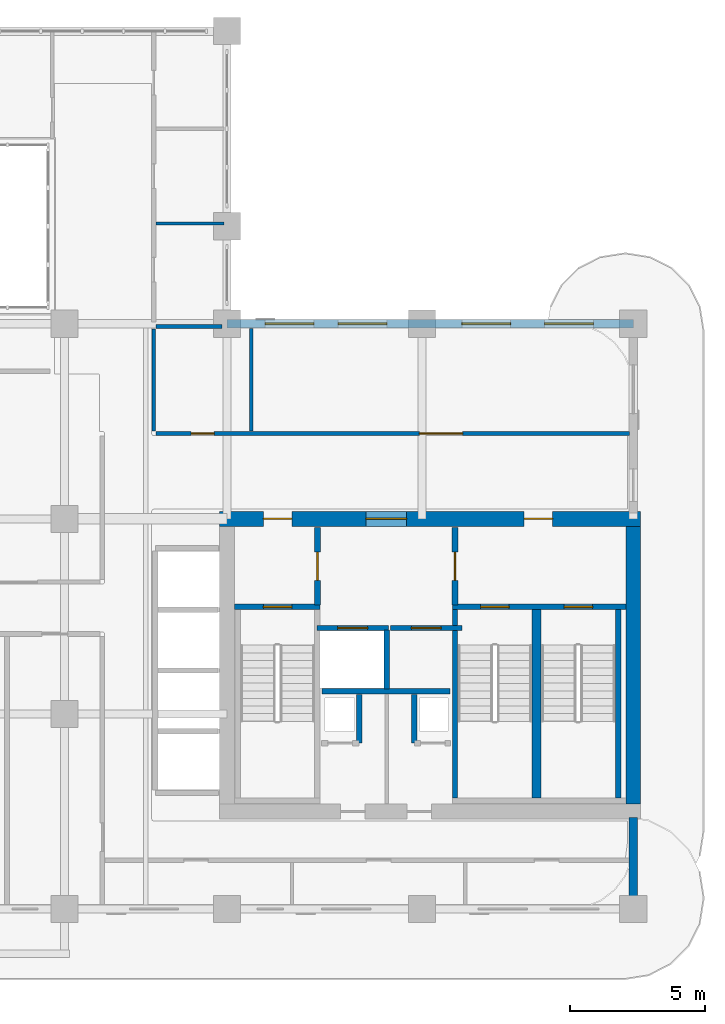
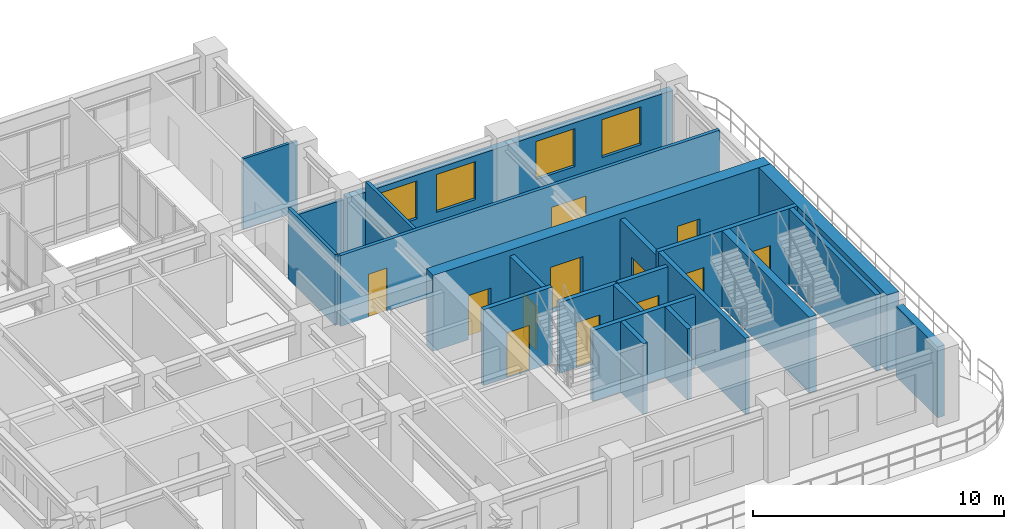
# One storey, part 13 of 20: 22 walls, 12 doors, 4 windows, 16 openings.
"""IFC4 building model written with IfcOpenShell, lengths in metres."""

from ifc_helpers import new_model, si_unit, derived_unit, direction, frame, frame_2d, origin, place, context, subcontext, project, spatial, rectangle, extrude, source, transform, mapped, material, layer, layer_set, type_object, type_shapes, element, fill, save


model = new_model("IFC4")

# Units and contexts
model_context = context("Model", 3, precision=1e-05, world=origin(), true_north=direction((0.0, 1.0)))
body_context = subcontext(model_context, "Body", "Model", "MODEL_VIEW")
ifc_project = project(units=[si_unit("LENGTHUNIT", "METRE"), si_unit("AREAUNIT", "SQUARE_METRE"), si_unit("VOLUMEUNIT", "CUBIC_METRE"), si_unit("PLANEANGLEUNIT", "RADIAN"), si_unit("MASSUNIT", "GRAM", prefix="KILO"), si_unit("THERMODYNAMICTEMPERATUREUNIT", "KELVIN"), si_unit("POWERUNIT", "WATT"), derived_unit("THERMALTRANSMITTANCEUNIT", [(si_unit("POWERUNIT", "WATT"), 1), (si_unit("AREAUNIT", "SQUARE_METRE"), -1), (si_unit("THERMODYNAMICTEMPERATUREUNIT", "KELVIN"), -1)])], contexts=[model_context])

# Site, building, storey
site_placement = place(None, origin())
site = spatial("IfcSite", under=ifc_project, at=site_placement, CompositionType="ELEMENT")
building_placement = place(site_placement, origin())
building = spatial("IfcBuilding", under=site, at=building_placement, Name="Zahravan Archway Hotel and Residences", CompositionType="ELEMENT")
storey_placement = place(building_placement, frame((0.0, 0.0, 137.699951171875)))
storey = spatial("IfcBuildingStorey", under=building, at=storey_placement, Name="L34", CompositionType="ELEMENT", Elevation=137.699951171875)

# Wall, openings, doors
ifc_material_1 = material(Name="Concrete C70/85", Category="concrete")
ifc_layer_1 = layer(ifc_material_1, 0.550048828125, Name="Concrete C70/85", Category="concrete")
ifc_layer_set_1 = layer_set([ifc_layer_1], Name="Concrete C70/85")
wall_type_1 = type_object("IfcWallType", Name="CW-CORE-550", PredefinedType="SHEAR", material=ifc_layer_set_1)
wall_1_placement = place(storey_placement, frame((34.52490234375, 14.39990234375, 0.0), z_axis=(0.0, 0.0, 1.0), x_axis=(1.0, 0.0, 0.0)))
wall_1 = element("IfcWall", 1, at=wall_1_placement, inside=storey, type_object=wall_type_1, Name="L34 Core A Shear N Wall 550 mm", PredefinedType="SHEAR", context=body_context, shape_type="SweptSolid", body=[
    extrude(rectangle(XDim=15.550048828125, YDim=0.550048828125, at=frame_2d((7.77490234375, 0.0))), origin(), (0.0, 0.0, 1.0), 3.699951171875),
])
opening_1_placement = place(wall_1_placement, frame((5.405029296875, 0.0, 0.0)))
opening_1 = element("IfcOpeningElement", 2, at=opening_1_placement, cuts=wall_1, Name="Opening FD-L1", PredefinedType="OPENING", context=body_context, shape_type="SweptSolid", body=[
    extrude(rectangle(XDim=1.5, YDim=2.199951171875, at=frame_2d((0.75, 1.10009765625))), frame((0.0, 0.28515625, 0.0), z_axis=(0.0, -1.0, 0.0), x_axis=(1.0, 0.0, 0.0)), (0.0, 0.0, 1.0), 0.570068359375),
])
opening_2_placement = place(wall_1_placement, frame((1.6201171875, 0.0, 0.0)))
opening_2 = element("IfcOpeningElement", 3, at=opening_2_placement, cuts=wall_1, Name="Opening FD-L2", PredefinedType="OPENING", context=body_context, shape_type="SweptSolid", body=[
    extrude(rectangle(XDim=1.050048828125, YDim=2.14990234375, at=frame_2d((0.52490234375, 1.074951171875))), frame((0.0, 0.28515625, 0.0), z_axis=(0.0, -1.0, 0.0), x_axis=(1.0, 0.0, 0.0)), (0.0, 0.0, 1.0), 0.570068359375),
])
opening_3_placement = place(wall_1_placement, frame((11.25, 0.0, 0.0)))
opening_3 = element("IfcOpeningElement", 4, at=opening_3_placement, cuts=wall_1, Name="Opening FD-L2", PredefinedType="OPENING", context=body_context, shape_type="SweptSolid", body=[
    extrude(rectangle(XDim=1.050048828125, YDim=2.14990234375, at=frame_2d((0.52490234375, 1.074951171875))), frame((0.0, 0.28515625, 0.0), z_axis=(0.0, -1.0, 0.0), x_axis=(1.0, 0.0, 0.0)), (0.0, 0.0, 1.0), 0.570068359375),
])
ifc_material_2 = material(Name="Fire-Rated Painted Steel", Category="steel")
door_type_1 = type_object("IfcDoorType", Name="FD-LOBBY-1100", OperationType="NOTDEFINED", PredefinedType="DOOR", material=ifc_material_2)
shared_shape_1 = source(origin(), body_context, "Body", "SweptSolid", [
    extrude(rectangle(XDim=1.050048828125, YDim=2.14990234375, at=frame_2d((0.52490234375, 1.074951171875))), frame((0.0, 0.02490234375, 0.0), z_axis=(0.0, -1.0, 0.0), x_axis=(1.0, 0.0, 0.0)), (0.0, 0.0, 1.0), 0.050048828125),
])
type_shapes(door_type_1, [shared_shape_1])
door_1_placement = place(opening_2_placement, origin())
door_1 = element("IfcDoor", 5, at=door_1_placement, inside=storey, type_object=door_type_1, Name="L34 Core A West Stair Lobby Door", OperationType="SINGLE_SWING_LEFT", OverallHeight=2.14990234375, OverallWidth=1.050048828125, PredefinedType="DOOR", context=body_context, shape_type="MappedRepresentation", body=[
    mapped(shared_shape_1, transform((0.0, 0.0, 0.0), scale=1.0)),
])
fill(opening_2, door_1)
door_2_placement = place(opening_3_placement, origin())
door_2 = element("IfcDoor", 6, at=door_2_placement, inside=storey, type_object=door_type_1, Name="L34 Core A East Stair Lobby Door", OperationType="SINGLE_SWING_RIGHT", OverallHeight=2.14990234375, OverallWidth=1.050048828125, PredefinedType="DOOR", context=body_context, shape_type="MappedRepresentation", body=[
    mapped(shared_shape_1, transform((0.0, 0.0, 0.0), scale=1.0)),
])
fill(opening_3, door_2)
door_type_2 = type_object("IfcDoorType", Name="FD-LOBBY-1500", OperationType="DOUBLE_DOOR_SINGLE_SWING", PredefinedType="DOOR", material=ifc_material_2)
shared_shape_2 = source(origin(), body_context, "Body", "SweptSolid", [
    extrude(rectangle(XDim=1.5, YDim=2.199951171875, at=frame_2d((0.75, 1.10009765625))), frame((0.0, 0.02490234375, 0.0), z_axis=(0.0, -1.0, 0.0), x_axis=(1.0, 0.0, 0.0)), (0.0, 0.0, 1.0), 0.050048828125),
])
type_shapes(door_type_2, [shared_shape_2])
door_3_placement = place(opening_1_placement, origin())
door_3 = element("IfcDoor", 7, at=door_3_placement, inside=storey, type_object=door_type_2, Name="L34 Core A FSAE Lobby Main Door", OperationType="DOUBLE_DOOR_SINGLE_SWING", OverallHeight=2.199951171875, OverallWidth=1.5, PredefinedType="DOOR", context=body_context, shape_type="MappedRepresentation", body=[
    mapped(shared_shape_2, transform((0.0, 0.0, 0.0), scale=1.0)),
])
fill(opening_1, door_3)

# Walls
wall_2_placement = place(storey_placement, frame((49.800048828125, 3.875, 0.0), z_axis=(0.0, 0.0, 1.0), x_axis=(0.0, 1.0, 0.0)))
element("IfcWall", 8, at=wall_2_placement, inside=storey, type_object=wall_type_1, Name="L34 Core A Shear E Wall 550 mm", PredefinedType="SHEAR", context=body_context, shape_type="SweptSolid", body=[
    extrude(rectangle(XDim=10.25, YDim=0.550048828125, at=frame_2d((5.125, 0.0))), origin(), (0.0, 0.0, 1.0), 3.699951171875),
])
ifc_material_3 = material(Name="Agra Buff Sandstone & Insulated Backup", Category="masonry")
ifc_layer_2 = layer(ifc_material_3, 0.320068359375, Name="Agra Buff Sandstone & Insulated Backup", Category="masonry")
ifc_layer_set_2 = layer_set([ifc_layer_2], Name="Agra Buff Sandstone & Insulated Backup")
wall_type_2 = type_object("IfcWallType", Name="EW-SAND-320", PredefinedType="SOLIDWALL", material=ifc_layer_set_2)
wall_3_placement = place(storey_placement, frame((49.800048828125, 0.050048828125, 0.0), z_axis=(0.0, 0.0, 1.0), x_axis=(0.0, 1.0, 0.0)))
element("IfcWall", 9, at=wall_3_placement, inside=storey, type_object=wall_type_2, Name="L34 Exterior Sandstone Wall WA-ES", PredefinedType="SOLIDWALL", context=body_context, shape_type="SweptSolid", body=[
    extrude(rectangle(XDim=3.329833984375, YDim=0.320068359375, at=frame_2d((1.6650390625, 0.0))), origin(), (0.0, 0.0, 1.0), 3.449951171875),
])

# Wall, openings, windows
wall_4_placement = place(storey_placement, frame((34.800048828125, 21.60009765625, 0.0), z_axis=(0.0, 0.0, 1.0), x_axis=(1.0, 0.0, 0.0)))
wall_4 = element("IfcWall", 10, at=wall_4_placement, inside=storey, type_object=wall_type_2, Name="L34 Exterior Sandstone Wall WA-NE", PredefinedType="SOLIDWALL", context=body_context, shape_type="SweptSolid", body=[
    extrude(rectangle(XDim=15.0, YDim=0.320068359375, at=frame_2d((7.5, 0.0))), origin(), (0.0, 0.0, 1.0), 2.93505859375),
])
opening_4_placement = place(wall_4_placement, frame((1.406005859375, 0.0, 0.800048828125)))
opening_4 = element("IfcOpeningElement", 11, at=opening_4_placement, cuts=wall_4, Name="Opening W-02", PredefinedType="OPENING", context=body_context, shape_type="SweptSolid", body=[
    extrude(rectangle(XDim=1.800048828125, YDim=1.85009765625, at=frame_2d((0.89990234375, 0.925048828125))), frame((0.0, 0.169921875, 0.0), z_axis=(0.0, -1.0, 0.0), x_axis=(1.0, 0.0, 0.0)), (0.0, 0.0, 1.0), 0.340087890625),
])
opening_5_placement = place(wall_4_placement, frame((4.10205078125, 0.0, 0.800048828125)))
opening_5 = element("IfcOpeningElement", 12, at=opening_5_placement, cuts=wall_4, Name="Opening W-02", PredefinedType="OPENING", context=body_context, shape_type="SweptSolid", body=[
    extrude(rectangle(XDim=1.800048828125, YDim=1.85009765625, at=frame_2d((0.89990234375, 0.925048828125))), frame((0.0, 0.169921875, 0.0), z_axis=(0.0, -1.0, 0.0), x_axis=(1.0, 0.0, 0.0)), (0.0, 0.0, 1.0), 0.340087890625),
])
opening_6_placement = place(wall_4_placement, frame((8.675048828125, 0.0, 0.800048828125)))
opening_6 = element("IfcOpeningElement", 13, at=opening_6_placement, cuts=wall_4, Name="Opening W-02", PredefinedType="OPENING", context=body_context, shape_type="SweptSolid", body=[
    extrude(rectangle(XDim=1.800048828125, YDim=1.85009765625, at=frame_2d((0.89990234375, 0.925048828125))), frame((0.0, 0.169921875, 0.0), z_axis=(0.0, -1.0, 0.0), x_axis=(1.0, 0.0, 0.0)), (0.0, 0.0, 1.0), 0.340087890625),
])
opening_7_placement = place(wall_4_placement, frame((11.72509765625, 0.0, 0.800048828125)))
opening_7 = element("IfcOpeningElement", 14, at=opening_7_placement, cuts=wall_4, Name="Opening W-02", PredefinedType="OPENING", context=body_context, shape_type="SweptSolid", body=[
    extrude(rectangle(XDim=1.800048828125, YDim=1.85009765625, at=frame_2d((0.89990234375, 0.925048828125))), frame((0.0, 0.169921875, 0.0), z_axis=(0.0, -1.0, 0.0), x_axis=(1.0, 0.0, 0.0)), (0.0, 0.0, 1.0), 0.340087890625),
])
ifc_material_4 = material(Name="Bronze-Anodized Thermal-Break Aluminium & Low-E Glass", Category="aluminium")
window_type = type_object("IfcWindowType", Name="WIN-TWR-1800", PartitioningType="DOUBLE_PANEL_VERTICAL", PredefinedType="WINDOW", material=ifc_material_4)
shared_shape_3 = source(origin(), body_context, "Body", "SweptSolid", [
    extrude(rectangle(XDim=1.800048828125, YDim=1.85009765625, at=frame_2d((0.89990234375, 0.925048828125))), frame((0.0, 0.030029296875, 0.0), z_axis=(0.0, -1.0, 0.0), x_axis=(1.0, 0.0, 0.0)), (0.0, 0.0, 1.0), 0.06005859375),
])
type_shapes(window_type, [shared_shape_3])
window_1_placement = place(opening_4_placement, origin())
window_1 = element("IfcWindow", 15, at=window_1_placement, inside=storey, type_object=window_type, Name="L34 Loggia Window 11", OverallHeight=1.85009765625, OverallWidth=1.800048828125, PartitioningType="DOUBLE_PANEL_VERTICAL", PredefinedType="WINDOW", context=body_context, shape_type="MappedRepresentation", body=[
    mapped(shared_shape_3, transform((0.0, 0.0, 0.0), scale=1.0)),
])
fill(opening_4, window_1)
window_2_placement = place(opening_5_placement, origin())
window_2 = element("IfcWindow", 16, at=window_2_placement, inside=storey, type_object=window_type, Name="L34 Loggia Window 12", OverallHeight=1.85009765625, OverallWidth=1.800048828125, PartitioningType="DOUBLE_PANEL_VERTICAL", PredefinedType="WINDOW", context=body_context, shape_type="MappedRepresentation", body=[
    mapped(shared_shape_3, transform((0.0, 0.0, 0.0), scale=1.0)),
])
fill(opening_5, window_2)
window_3_placement = place(opening_6_placement, origin())
window_3 = element("IfcWindow", 17, at=window_3_placement, inside=storey, type_object=window_type, Name="L34 Loggia Window 13", OverallHeight=1.85009765625, OverallWidth=1.800048828125, PartitioningType="DOUBLE_PANEL_VERTICAL", PredefinedType="WINDOW", context=body_context, shape_type="MappedRepresentation", body=[
    mapped(shared_shape_3, transform((0.0, 0.0, 0.0), scale=1.0)),
])
fill(opening_6, window_3)
window_4_placement = place(opening_7_placement, origin())
window_4 = element("IfcWindow", 18, at=window_4_placement, inside=storey, type_object=window_type, Name="L34 Loggia Window 14", OverallHeight=1.85009765625, OverallWidth=1.800048828125, PartitioningType="DOUBLE_PANEL_VERTICAL", PredefinedType="WINDOW", context=body_context, shape_type="MappedRepresentation", body=[
    mapped(shared_shape_3, transform((0.0, 0.0, 0.0), scale=1.0)),
])
fill(opening_7, window_4)

# Wall, opening, door
ifc_material_5 = material(Name="Fire-Rated Gypsum & Concrete Block", Category="concrete")
ifc_layer_3 = layer(ifc_material_5, 0.219970703125, Name="Fire-Rated Gypsum & Concrete Block", Category="concrete")
ifc_layer_set_3 = layer_set([ifc_layer_3], Name="Fire-Rated Gypsum & Concrete Block")
wall_type_3 = type_object("IfcWallType", Name="PW-COMP-220", PredefinedType="PARTITIONING", material=ifc_layer_set_3)
wall_5_placement = place(storey_placement, frame((38.139892578125, 11.219970703125, 0.0), z_axis=(0.0, 0.0, 1.0), x_axis=(0.0, 1.0, 0.0)))
wall_5 = element("IfcWall", 19, at=wall_5_placement, inside=storey, type_object=wall_type_3, Name="L34 Partition CA-LOBW", PredefinedType="PARTITIONING", context=body_context, shape_type="SweptSolid", body=[
    extrude(rectangle(XDim=2.860107421875, YDim=0.219970703125, at=frame_2d((1.43017578125, 0.0))), origin(), (0.0, 0.0, 1.0), 3.449951171875),
])
opening_8_placement = place(wall_5_placement, frame((0.905029296875, 0.0, 0.0)))
opening_8 = element("IfcOpeningElement", 20, at=opening_8_placement, cuts=wall_5, Name="Opening FD-L2", PredefinedType="OPENING", context=body_context, shape_type="SweptSolid", body=[
    extrude(rectangle(XDim=1.050048828125, YDim=2.14990234375, at=frame_2d((0.52490234375, 1.074951171875))), frame((0.0, 0.1201171875, 0.0), z_axis=(0.0, -1.0, 0.0), x_axis=(1.0, 0.0, 0.0)), (0.0, 0.0, 1.0), 0.239990234375),
])
door_4_placement = place(opening_8_placement, origin())
door_4 = element("IfcDoor", 21, at=door_4_placement, inside=storey, type_object=door_type_1, Name="L34 Core A West Stair to FSAE Lobby Door", OperationType="SINGLE_SWING_LEFT", OverallHeight=2.14990234375, OverallWidth=1.050048828125, PredefinedType="DOOR", context=body_context, shape_type="MappedRepresentation", body=[
    mapped(shared_shape_1, transform((0.0, 0.0, 0.0), scale=1.0)),
])
fill(opening_8, door_4)

wall_6_placement = place(storey_placement, frame((43.219970703125, 11.219970703125, 0.0), z_axis=(0.0, 0.0, 1.0), x_axis=(0.0, 1.0, 0.0)))
wall_6 = element("IfcWall", 22, at=wall_6_placement, inside=storey, type_object=wall_type_3, Name="L34 Partition CA-LOBE", PredefinedType="PARTITIONING", context=body_context, shape_type="SweptSolid", body=[
    extrude(rectangle(XDim=2.860107421875, YDim=0.219970703125, at=frame_2d((1.43017578125, 0.0))), origin(), (0.0, 0.0, 1.0), 3.449951171875),
])
opening_9_placement = place(wall_6_placement, frame((0.905029296875, 0.0, 0.0)))
opening_9 = element("IfcOpeningElement", 23, at=opening_9_placement, cuts=wall_6, Name="Opening FD-L2", PredefinedType="OPENING", context=body_context, shape_type="SweptSolid", body=[
    extrude(rectangle(XDim=1.050048828125, YDim=2.14990234375, at=frame_2d((0.52490234375, 1.074951171875))), frame((0.0, 0.1201171875, 0.0), z_axis=(0.0, -1.0, 0.0), x_axis=(1.0, 0.0, 0.0)), (0.0, 0.0, 1.0), 0.239990234375),
])
door_5_placement = place(opening_9_placement, origin())
door_5 = element("IfcDoor", 24, at=door_5_placement, inside=storey, type_object=door_type_1, Name="L34 Core A East Stair to FSAE Lobby Door", OperationType="SINGLE_SWING_RIGHT", OverallHeight=2.14990234375, OverallWidth=1.050048828125, PredefinedType="DOOR", context=body_context, shape_type="MappedRepresentation", body=[
    mapped(shared_shape_1, transform((0.0, 0.0, 0.0), scale=1.0)),
])
fill(opening_9, door_5)

# Wall, openings, doors
ifc_layer_4 = layer(ifc_material_5, 0.159912109375, Name="Fire-Rated Gypsum & Concrete Block", Category="concrete")
ifc_layer_set_4 = layer_set([ifc_layer_4], Name="Fire-Rated Gypsum & Concrete Block")
wall_type_4 = type_object("IfcWallType", Name="PW-CORR-160", PredefinedType="PARTITIONING", material=ifc_layer_set_4)
wall_7_placement = place(storey_placement, frame((32.18994140625, 17.550048828125, 0.0), z_axis=(0.0, 0.0, 1.0), x_axis=(1.0, 0.0, 0.0)))
wall_7 = element("IfcWall", 25, at=wall_7_placement, inside=storey, type_object=wall_type_4, Name="L34 Partition WA-FN", PredefinedType="PARTITIONING", context=body_context, shape_type="SweptSolid", body=[
    extrude(rectangle(XDim=17.469970703125, YDim=0.159912109375, at=frame_2d((8.73486328125, 0.0))), origin(), (0.0, 0.0, 1.0), 3.449951171875),
])
opening_10_placement = place(wall_7_placement, frame((1.284912109375, 0.0, 0.0)))
opening_10 = element("IfcOpeningElement", 26, at=opening_10_placement, cuts=wall_7, Name="Opening D-B1", PredefinedType="OPENING", context=body_context, shape_type="SweptSolid", body=[
    extrude(rectangle(XDim=0.85009765625, YDim=2.10009765625, at=frame_2d((0.425048828125, 1.050048828125))), frame((0.0, 0.08984375, 0.0), z_axis=(0.0, -1.0, 0.0), x_axis=(1.0, 0.0, 0.0)), (0.0, 0.0, 1.0), 0.179931640625),
])
opening_11_placement = place(wall_7_placement, frame((9.7099609375, 0.0, 0.0)))
opening_11 = element("IfcOpeningElement", 27, at=opening_11_placement, cuts=wall_7, Name="Opening D-P2", PredefinedType="OPENING", context=body_context, shape_type="SweptSolid", body=[
    extrude(rectangle(XDim=1.60009765625, YDim=2.39990234375, at=frame_2d((0.800048828125, 1.199951171875))), frame((0.0, 0.08984375, 0.0), z_axis=(0.0, -1.0, 0.0), x_axis=(1.0, 0.0, 0.0)), (0.0, 0.0, 1.0), 0.179931640625),
])
ifc_material_6 = material(Name="Bronze-Anodized Glazed Aluminium", Category="aluminium")
door_type_3 = type_object("IfcDoorType", Name="ID-PUBLIC-1600", OperationType="DOUBLE_DOOR_SINGLE_SWING", PredefinedType="DOOR", material=ifc_material_6)
shared_shape_4 = source(origin(), body_context, "Body", "SweptSolid", [
    extrude(rectangle(XDim=1.60009765625, YDim=2.39990234375, at=frame_2d((0.800048828125, 1.199951171875))), frame((0.0, 0.02490234375, 0.0), z_axis=(0.0, -1.0, 0.0), x_axis=(1.0, 0.0, 0.0)), (0.0, 0.0, 1.0), 0.050048828125),
])
type_shapes(door_type_3, [shared_shape_4])
door_6_placement = place(opening_11_placement, origin())
door_6 = element("IfcDoor", 28, at=door_6_placement, inside=storey, type_object=door_type_3, Name="L34 North Fitness Gym Door", OperationType="DOUBLE_DOOR_SINGLE_SWING", OverallHeight=2.39990234375, OverallWidth=1.60009765625, PredefinedType="DOOR", context=body_context, shape_type="MappedRepresentation", body=[
    mapped(shared_shape_4, transform((0.0, 0.0, 0.0), scale=1.0)),
])
fill(opening_11, door_6)
ifc_material_7 = material(Name="Hardwood Veneer Timber", Category="wood")
door_type_4 = type_object("IfcDoorType", Name="ID-BATH-850", OperationType="NOTDEFINED", PredefinedType="DOOR", material=ifc_material_7)
shared_shape_5 = source(origin(), body_context, "Body", "SweptSolid", [
    extrude(rectangle(XDim=0.85009765625, YDim=2.10009765625, at=frame_2d((0.425048828125, 1.050048828125))), frame((0.0, 0.02490234375, 0.0), z_axis=(0.0, -1.0, 0.0), x_axis=(1.0, 0.0, 0.0)), (0.0, 0.0, 1.0), 0.050048828125),
])
type_shapes(door_type_4, [shared_shape_5])
door_7_placement = place(opening_10_placement, origin())
door_7 = element("IfcDoor", 29, at=door_7_placement, inside=storey, type_object=door_type_4, Name="L34 Accessible Restroom Door", OperationType="SINGLE_SWING_RIGHT", OverallHeight=2.10009765625, OverallWidth=0.85009765625, PredefinedType="DOOR", context=body_context, shape_type="MappedRepresentation", body=[
    mapped(shared_shape_5, transform((0.0, 0.0, 0.0), scale=1.0)),
])
fill(opening_10, door_7)

# Walls
ifc_material_8 = material(Name="Acoustic Stud Partition")
ifc_layer_5 = layer(ifc_material_8, 0.125, Name="Acoustic Stud Partition")
ifc_layer_set_5 = layer_set([ifc_layer_5], Name="Acoustic Stud Partition")
wall_type_5 = type_object("IfcWallType", Name="PW-INT-125", PredefinedType="PARTITIONING", material=ifc_layer_set_5)
wall_8_placement = place(storey_placement, frame((32.18994140625, 25.300048828125, 0.0), z_axis=(0.0, 0.0, 1.0), x_axis=(1.0, 0.0, 0.0)))
element("IfcWall", 30, at=wall_8_placement, inside=storey, type_object=wall_type_5, Name="L34 Partition ATR-EM3A", PredefinedType="PARTITIONING", context=body_context, shape_type="SweptSolid", body=[
    extrude(rectangle(XDim=2.5, YDim=0.125, at=frame_2d((1.25, 0.0))), origin(), (0.0, 0.0, 1.0), 3.449951171875),
])
ifc_layer_6 = layer(ifc_material_5, 0.199951171875, Name="Fire-Rated Gypsum & Concrete Block", Category="concrete")
ifc_layer_set_6 = layer_set([ifc_layer_6], Name="Fire-Rated Gypsum & Concrete Block")
wall_type_6 = type_object("IfcWallType", Name="PW-SHAFT-200", PredefinedType="PARTITIONING", material=ifc_layer_set_6)
wall_9_placement = place(storey_placement, frame((38.300048828125, 8.030029296875, 0.0), z_axis=(0.0, 0.0, 1.0), x_axis=(1.0, 0.0, 0.0)))
element("IfcWall", 31, at=wall_9_placement, inside=storey, type_object=wall_type_6, Name="L34 Partition CA-FLS", PredefinedType="PARTITIONING", context=body_context, shape_type="SweptSolid", body=[
    extrude(rectangle(XDim=4.739990234375, YDim=0.199951171875, at=frame_2d((2.3701171875, 0.0))), origin(), (0.0, 0.0, 1.0), 3.449951171875),
])
wall_10_placement = place(storey_placement, frame((40.699951171875, 8.1201171875, 0.0), z_axis=(0.0, 0.0, 1.0), x_axis=(0.0, 1.0, 0.0)))
element("IfcWall", 32, at=wall_10_placement, inside=storey, type_object=wall_type_6, Name="L34 Partition CA-FLM", PredefinedType="PARTITIONING", context=body_context, shape_type="SweptSolid", body=[
    extrude(rectangle(XDim=2.179931640625, YDim=0.199951171875, at=frame_2d((1.08984375, 0.0))), origin(), (0.0, 0.0, 1.0), 3.449951171875),
])
for number, where, z_axis, x_axis, name in (
    (33, (39.679931640625, 6.1298828125, 0.0), (0.0, 0.0, 1.0), (0.0, 1.0, 0.0), "L34 Partition CA-SMKE"),
    (34, (41.719970703125, 6.1298828125, 0.0), (0.0, 0.0, 1.0), (0.0, 1.0, 0.0), "L34 Partition CA-MEPW"),
):
    element("IfcWall", number, at=place(storey_placement, frame(where, z_axis=z_axis, x_axis=x_axis)), inside=storey, type_object=wall_type_6, Name=name, PredefinedType="PARTITIONING", context=body_context, shape_type="SweptSolid", body=[
        extrude(rectangle(XDim=1.7900390625, YDim=0.199951171875, at=frame_2d((0.89501953125, 0.0))), origin(), (0.0, 0.0, 1.0), 3.449951171875),
    ])

# Wall, opening, door
wall_11_placement = place(storey_placement, frame((38.1201171875, 10.3701171875, 0.0), z_axis=(0.0, 0.0, 1.0), x_axis=(1.0, 0.0, 0.0)))
wall_11 = element("IfcWall", 35, at=wall_11_placement, inside=storey, type_object=wall_type_6, Name="L34 Lift FL-1 Front Wall", PredefinedType="PARTITIONING", context=body_context, shape_type="SweptSolid", body=[
    extrude(rectangle(XDim=2.639892578125, YDim=0.199951171875, at=frame_2d((1.31982421875, 0.0))), origin(), (0.0, 0.0, 1.0), 3.449951171875),
])
opening_12_placement = place(wall_11_placement, frame((0.77001953125, 0.0, 0.0)))
opening_12 = element("IfcOpeningElement", 36, at=opening_12_placement, cuts=wall_11, Name="Opening LD", PredefinedType="OPENING", context=body_context, shape_type="SweptSolid", body=[
    extrude(rectangle(XDim=1.10009765625, YDim=2.199951171875, at=frame_2d((0.550048828125, 1.10009765625))), frame((0.0, 0.10986328125, 0.0), z_axis=(0.0, -1.0, 0.0), x_axis=(1.0, 0.0, 0.0)), (0.0, 0.0, 1.0), 0.219970703125),
])
ifc_material_9 = material(Name="Brushed Stainless Steel", Category="steel")
door_type_5 = type_object("IfcDoorType", Name="DR-LIFT-LD", OperationType="SLIDING_TO_LEFT", PredefinedType="DOOR", material=ifc_material_9)
shared_shape_6 = source(origin(), body_context, "Body", "SweptSolid", [
    extrude(rectangle(XDim=1.10009765625, YDim=2.199951171875, at=frame_2d((0.550048828125, 1.10009765625))), frame((0.0, 0.02490234375, 0.0), z_axis=(0.0, -1.0, 0.0), x_axis=(1.0, 0.0, 0.0)), (0.0, 0.0, 1.0), 0.050048828125),
])
type_shapes(door_type_5, [shared_shape_6])
door_8_placement = place(opening_12_placement, origin())
door_8 = element("IfcDoor", 37, at=door_8_placement, inside=storey, type_object=door_type_5, Name="L34 Lift FL-1 Sliding Landing Door", OperationType="SLIDING_TO_LEFT", OverallHeight=2.199951171875, OverallWidth=1.10009765625, PredefinedType="DOOR", context=body_context, shape_type="MappedRepresentation", body=[
    mapped(shared_shape_6, transform((0.0, 0.0, 0.0), scale=1.0)),
])
fill(opening_12, door_8)

wall_12_placement = place(storey_placement, frame((40.840087890625, 10.3701171875, 0.0), z_axis=(0.0, 0.0, 1.0), x_axis=(1.0, 0.0, 0.0)))
wall_12 = element("IfcWall", 38, at=wall_12_placement, inside=storey, type_object=wall_type_6, Name="L34 Lift FL-2 Front Wall", PredefinedType="PARTITIONING", context=body_context, shape_type="SweptSolid", body=[
    extrude(rectangle(XDim=2.639892578125, YDim=0.199951171875, at=frame_2d((1.31982421875, 0.0))), origin(), (0.0, 0.0, 1.0), 3.449951171875),
])
opening_13_placement = place(wall_12_placement, frame((0.77001953125, 0.0, 0.0)))
opening_13 = element("IfcOpeningElement", 39, at=opening_13_placement, cuts=wall_12, Name="Opening LD", PredefinedType="OPENING", context=body_context, shape_type="SweptSolid", body=[
    extrude(rectangle(XDim=1.10009765625, YDim=2.199951171875, at=frame_2d((0.550048828125, 1.10009765625))), frame((0.0, 0.10986328125, 0.0), z_axis=(0.0, -1.0, 0.0), x_axis=(1.0, 0.0, 0.0)), (0.0, 0.0, 1.0), 0.219970703125),
])
door_9_placement = place(opening_13_placement, origin())
door_9 = element("IfcDoor", 40, at=door_9_placement, inside=storey, type_object=door_type_5, Name="L34 Lift FL-2 Sliding Landing Door", OperationType="SLIDING_TO_LEFT", OverallHeight=2.199951171875, OverallWidth=1.10009765625, PredefinedType="DOOR", context=body_context, shape_type="MappedRepresentation", body=[
    mapped(shared_shape_6, transform((0.0, 0.0, 0.0), scale=1.0)),
])
fill(opening_13, door_9)

# Walls
ifc_material_10 = material(Name="Moisture-Resistant Blockwork", Category="masonry")
ifc_layer_7 = layer(ifc_material_10, 0.139892578125, Name="Moisture-Resistant Blockwork", Category="masonry")
ifc_layer_set_7 = layer_set([ifc_layer_7], Name="Moisture-Resistant Blockwork")
wall_type_7 = type_object("IfcWallType", Name="PW-WET-140", PredefinedType="PARTITIONING", material=ifc_layer_set_7)
wall_13_placement = place(storey_placement, frame((32.10009765625, 17.639892578125, 0.0), z_axis=(0.0, 0.0, 1.0), x_axis=(0.0, 1.0, 0.0)))
element("IfcWall", 41, at=wall_13_placement, inside=storey, type_object=wall_type_7, Name="L34 Partition NE-W0", PredefinedType="PARTITIONING", context=body_context, shape_type="SweptSolid", body=[
    extrude(rectangle(XDim=3.77001953125, YDim=0.139892578125, at=frame_2d((1.885009765625, 0.0))), origin(), (0.0, 0.0, 1.0), 3.449951171875),
])
wall_14_placement = place(storey_placement, frame((35.699951171875, 17.639892578125, 0.0), z_axis=(0.0, 0.0, 1.0), x_axis=(0.0, 1.0, 0.0)))
element("IfcWall", 42, at=wall_14_placement, inside=storey, type_object=wall_type_7, Name="L34 Partition NE1-1", PredefinedType="PARTITIONING", context=body_context, shape_type="SweptSolid", body=[
    extrude(rectangle(XDim=3.7919921875, YDim=0.139892578125, at=frame_2d((1.89599609375, 0.0))), origin(), (0.0, 0.0, 1.0), 3.449951171875),
])
wall_15_placement = place(storey_placement, frame((32.18994140625, 21.5, 0.0), z_axis=(0.0, 0.0, 1.0), x_axis=(1.0, 0.0, 0.0)))
element("IfcWall", 43, at=wall_15_placement, inside=storey, type_object=wall_type_7, Name="L34 Partition ATR-ES", PredefinedType="PARTITIONING", context=body_context, shape_type="SweptSolid", body=[
    extrude(rectangle(XDim=2.420166015625, YDim=0.139892578125, at=frame_2d((1.2099609375, 0.0))), origin(), (0.0, 0.0, 1.0), 2.93505859375),
])

# Wall, opening, door
ifc_material_11 = material(Name="Concrete C50/60", Category="concrete")
ifc_layer_8 = layer(ifc_material_11, 0.199951171875, Name="Concrete C50/60", Category="concrete")
ifc_layer_set_8 = layer_set([ifc_layer_8], Name="Concrete C50/60")
wall_type_8 = type_object("IfcWallType", Name="SW-STAIR-200", PredefinedType="SHEAR", material=ifc_layer_set_8)
wall_16_placement = place(storey_placement, frame((35.074951171875, 11.14990234375, 0.0), z_axis=(0.0, 0.0, 1.0), x_axis=(1.0, 0.0, 0.0)))
wall_16 = element("IfcWall", 44, at=wall_16_placement, inside=storey, type_object=wall_type_8, Name="L34 Stairwell RC Wall CA-SA1N", PredefinedType="SHEAR", context=body_context, shape_type="SweptSolid", body=[
    extrude(rectangle(XDim=3.1650390625, YDim=0.199951171875, at=frame_2d((1.58251953125, 0.0))), origin(), (0.0, 0.0, 1.0), 3.699951171875),
])
opening_14_placement = place(wall_16_placement, frame((1.070068359375, 0.0, 0.0)))
opening_14 = element("IfcOpeningElement", 45, at=opening_14_placement, cuts=wall_16, Name="Opening FD-S1", PredefinedType="OPENING", context=body_context, shape_type="SweptSolid", body=[
    extrude(rectangle(XDim=1.050048828125, YDim=2.199951171875, at=frame_2d((0.52490234375, 1.10009765625))), frame((0.0, 0.10986328125, 0.0), z_axis=(0.0, -1.0, 0.0), x_axis=(1.0, 0.0, 0.0)), (0.0, 0.0, 1.0), 0.219970703125),
])
door_type_6 = type_object("IfcDoorType", Name="FD-STAIR-1100", OperationType="NOTDEFINED", PredefinedType="DOOR", material=ifc_material_2)
shared_shape_7 = source(origin(), body_context, "Body", "SweptSolid", [
    extrude(rectangle(XDim=1.050048828125, YDim=2.199951171875, at=frame_2d((0.52490234375, 1.10009765625))), frame((0.0, 0.02490234375, 0.0), z_axis=(0.0, -1.0, 0.0), x_axis=(1.0, 0.0, 0.0)), (0.0, 0.0, 1.0), 0.050048828125),
])
type_shapes(door_type_6, [shared_shape_7])
door_10_placement = place(opening_14_placement, origin())
door_10 = element("IfcDoor", 46, at=door_10_placement, inside=storey, type_object=door_type_6, Name="L34 Stair ST-A1 Door", OperationType="SINGLE_SWING_RIGHT", OverallHeight=2.199951171875, OverallWidth=1.050048828125, PredefinedType="DOOR", context=body_context, shape_type="MappedRepresentation", body=[
    mapped(shared_shape_7, transform((0.0, 0.0, 0.0), scale=1.0)),
])
fill(opening_14, door_10)

# Walls
for number, where, z_axis, x_axis, name in (
    (47, (43.219970703125, 4.10009765625, 0.0), (0.0, 0.0, 1.0), (0.0, 1.0, 0.0), "L34 Stairwell RC Wall CA-SA2W"),
    (48, (49.239990234375, 4.10009765625, 0.0), (0.0, 0.0, 1.0), (0.0, 1.0, 0.0), "L34 Stairwell RC Wall CA-SA3E"),
):
    element("IfcWall", number, at=place(storey_placement, frame(where, z_axis=z_axis, x_axis=x_axis)), inside=storey, type_object=wall_type_8, Name=name, PredefinedType="SHEAR", context=body_context, shape_type="SweptSolid", body=[
        extrude(rectangle(XDim=6.949951171875, YDim=0.199951171875, at=frame_2d((3.47509765625, 0.0))), origin(), (0.0, 0.0, 1.0), 3.699951171875),
    ])

# Wall, openings, doors
wall_17_placement = place(storey_placement, frame((43.1201171875, 11.14990234375, 0.0), z_axis=(0.0, 0.0, 1.0), x_axis=(1.0, 0.0, 0.0)))
wall_17 = element("IfcWall", 49, at=wall_17_placement, inside=storey, type_object=wall_type_8, Name="L34 Stairwell RC Wall CA-SA23N", PredefinedType="SHEAR", context=body_context, shape_type="SweptSolid", body=[
    extrude(rectangle(XDim=6.40478515625, YDim=0.199951171875, at=frame_2d((3.202392578125, 0.0))), origin(), (0.0, 0.0, 1.0), 3.699951171875),
])
opening_15_placement = place(wall_17_placement, frame((1.044921875, 0.0, 0.0)))
opening_15 = element("IfcOpeningElement", 50, at=opening_15_placement, cuts=wall_17, Name="Opening FD-S1", PredefinedType="OPENING", context=body_context, shape_type="SweptSolid", body=[
    extrude(rectangle(XDim=1.050048828125, YDim=2.199951171875, at=frame_2d((0.52490234375, 1.10009765625))), frame((0.0, 0.10986328125, 0.0), z_axis=(0.0, -1.0, 0.0), x_axis=(1.0, 0.0, 0.0)), (0.0, 0.0, 1.0), 0.219970703125),
])
opening_16_placement = place(wall_17_placement, frame((4.125, 0.0, 0.0)))
opening_16 = element("IfcOpeningElement", 51, at=opening_16_placement, cuts=wall_17, Name="Opening FD-S1", PredefinedType="OPENING", context=body_context, shape_type="SweptSolid", body=[
    extrude(rectangle(XDim=1.050048828125, YDim=2.199951171875, at=frame_2d((0.52490234375, 1.10009765625))), frame((0.0, 0.10986328125, 0.0), z_axis=(0.0, -1.0, 0.0), x_axis=(1.0, 0.0, 0.0)), (0.0, 0.0, 1.0), 0.219970703125),
])
door_11_placement = place(opening_15_placement, origin())
door_11 = element("IfcDoor", 52, at=door_11_placement, inside=storey, type_object=door_type_6, Name="L34 Stair ST-A2 Door", OperationType="SINGLE_SWING_LEFT", OverallHeight=2.199951171875, OverallWidth=1.050048828125, PredefinedType="DOOR", context=body_context, shape_type="MappedRepresentation", body=[
    mapped(shared_shape_7, transform((0.0, 0.0, 0.0), scale=1.0)),
])
fill(opening_15, door_11)
door_12_placement = place(opening_16_placement, origin())
door_12 = element("IfcDoor", 53, at=door_12_placement, inside=storey, type_object=door_type_6, Name="L34 Stair ST-A3 Door", OperationType="SINGLE_SWING_RIGHT", OverallHeight=2.199951171875, OverallWidth=1.050048828125, PredefinedType="DOOR", context=body_context, shape_type="MappedRepresentation", body=[
    mapped(shared_shape_7, transform((0.0, 0.0, 0.0), scale=1.0)),
])
fill(opening_16, door_12)

# Wall
ifc_layer_9 = layer(ifc_material_11, 0.340087890625, Name="Concrete C50/60", Category="concrete")
ifc_layer_set_9 = layer_set([ifc_layer_9], Name="Concrete C50/60")
wall_type_9 = type_object("IfcWallType", Name="SW-STAIR-340", PredefinedType="SHEAR", material=ifc_layer_set_9)
wall_18_placement = place(storey_placement, frame((46.22998046875, 4.10009765625, 0.0), z_axis=(0.0, 0.0, 1.0), x_axis=(0.0, 1.0, 0.0)))
element("IfcWall", 54, at=wall_18_placement, inside=storey, type_object=wall_type_9, Name="L34 Stairwell RC Wall CA-SA23M", PredefinedType="SHEAR", context=body_context, shape_type="SweptSolid", body=[
    extrude(rectangle(XDim=6.949951171875, YDim=0.340087890625, at=frame_2d((3.47509765625, 0.0))), origin(), (0.0, 0.0, 1.0), 3.699951171875),
])

save(model, "model.ifc")
